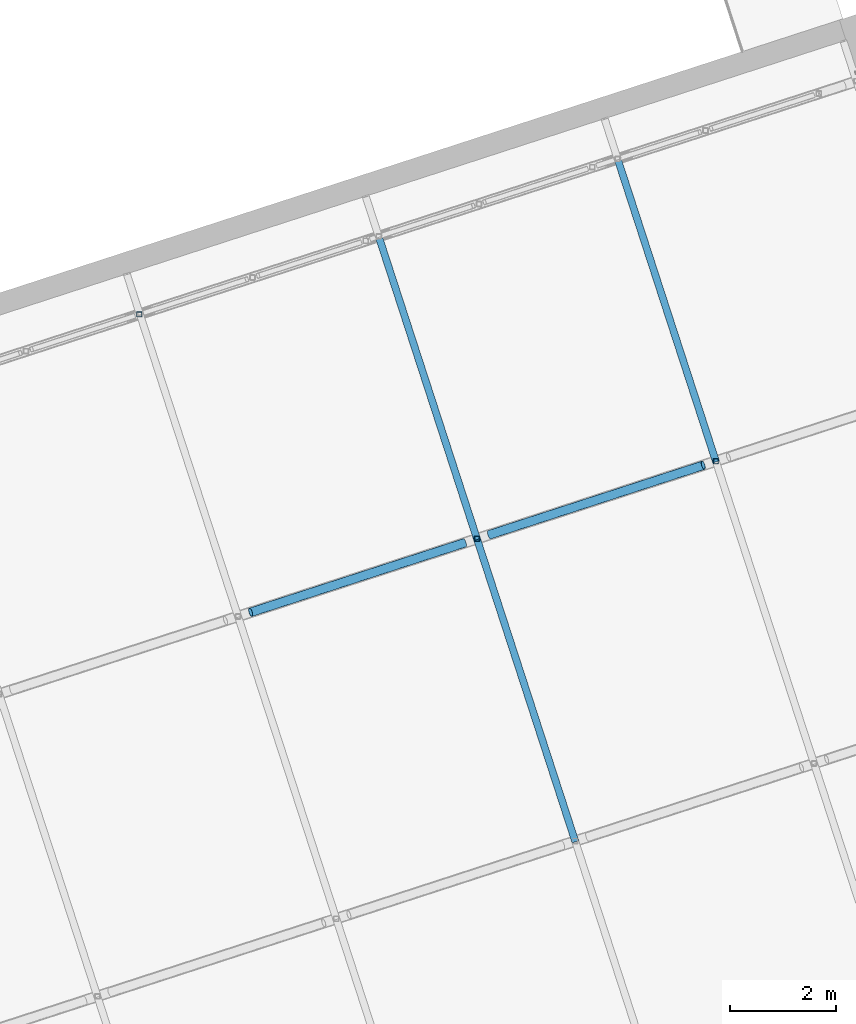
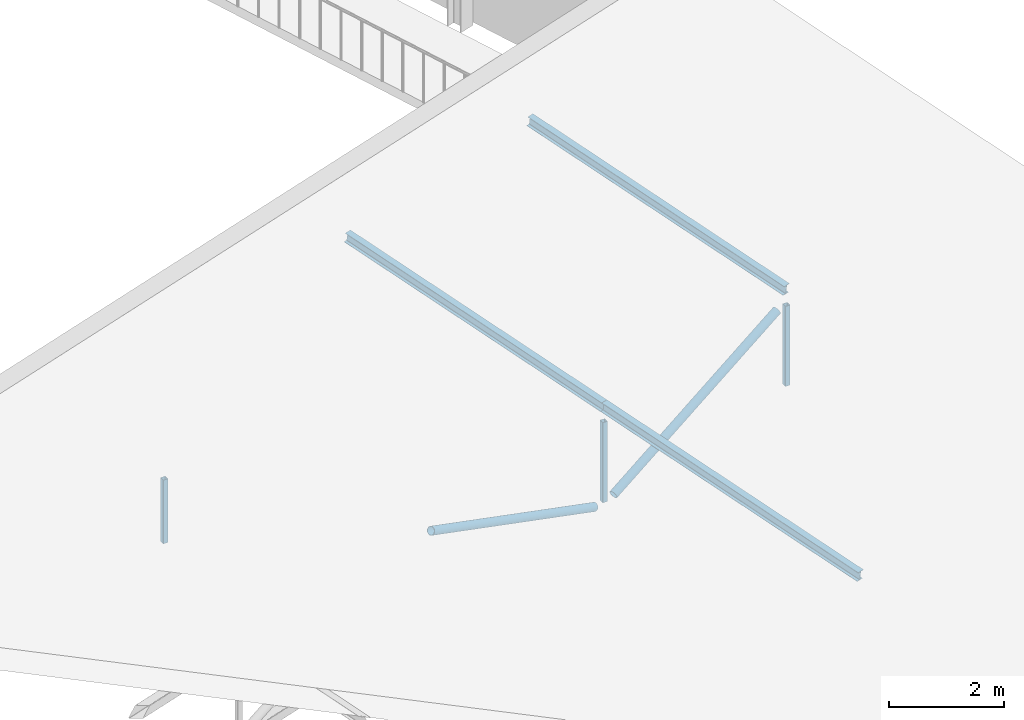
# One storey, part 14 of 55: 8 members.
"""IFC4 building model written with IfcOpenShell, lengths in metres."""

from ifc_helpers import new_model, si_unit, direction, frame, origin, origin_2d, place, context, subcontext, project, spatial, hollow_rectangle, hollow_circle, i_section, extrude, material, material_profile, profile_set, type_object, element, save


model = new_model("IFC4")

# Units and contexts
model_context = context("Model", 3, precision=1e-05, world=origin(), true_north=direction((0.0, 1.0)))
body_context = subcontext(model_context, "Body", "Model", "MODEL_VIEW")
ifc_project = project(units=[si_unit("LENGTHUNIT", "METRE"), si_unit("AREAUNIT", "SQUARE_METRE"), si_unit("VOLUMEUNIT", "CUBIC_METRE"), si_unit("PLANEANGLEUNIT", "RADIAN"), si_unit("MASSUNIT", "GRAM", prefix="KILO")], contexts=[model_context])

# Site, building, storey
site_placement = place(None, origin())
site = spatial("IfcSite", under=ifc_project, at=site_placement, CompositionType="ELEMENT")
building_placement = place(site_placement, origin())
building = spatial("IfcBuilding", under=site, at=building_placement, Name="Tuart Plaza Theatre", CompositionType="ELEMENT")
storey_placement = place(building_placement, frame((0.0, 0.0, 21.5)))
storey = spatial("IfcBuildingStorey", under=building, at=storey_placement, Name="L05", CompositionType="ELEMENT", Elevation=21.5)

# Members
ifc_material_1 = material(Name="Steel Grade C350L0", Category="steel")
ifc_material_profile_1 = material_profile(ifc_material_1, hollow_circle(Radius=0.084228515625, WallThickness=0.00634765625, at=origin_2d()), Name="168.3x6.4 CHS")
ifc_profile_set_1 = profile_set([ifc_material_profile_1], Name="Steel Grade C350L0")
member_type_1 = type_object("IfcMemberType", Name="MEMBER Brace 168.3x6.4 CHS", PredefinedType="BRACE", material=ifc_profile_set_1)
for number, where, z_axis, x_axis, name in (
    (1, (57.538330078125, 66.530029296875, 2.3837890625), (0.882822840615, 0.286849316519, -0.371942605385), (-0.309019710385, 0.951055633806, 0.0), "BR22"),
    (2, (62.0478515625, 67.995361328125, 0.683837890625), (0.882822840615, 0.286849316519, 0.371942605385), (-0.309019710385, 0.951055633806, 0.0), "BR23"),
):
    element("IfcMember", number, at=place(storey_placement, frame(where, z_axis=z_axis, x_axis=x_axis)), inside=storey, type_object=member_type_1, Name=name, PredefinedType="BRACE", context=body_context, shape_type="SweptSolid", body=[
        extrude(hollow_circle(Radius=0.084228515625, WallThickness=0.00634765625, at=origin_2d()), origin(), (0.0, 0.0, 1.0), 4.570556640625),
    ])
ifc_material_2 = material(Name="Steel Grade C350L0", Category="steel")
ifc_material_profile_2 = material_profile(ifc_material_2, hollow_rectangle(XDim=0.10009765625, YDim=0.10009765625, WallThickness=0.006103515625, InnerFilletRadius=0.006103515625, OuterFilletRadius=0.011962890625, at=origin_2d()), Name="100x100x6 SHS")
ifc_profile_set_2 = profile_set([ifc_material_profile_2], Name="Steel Grade C350L0")
member_type_2 = type_object("IfcMemberType", Name="MEMBER Post 100x100x6 SHS", PredefinedType="POST", material=ifc_profile_set_2)
for number, where, z_axis, x_axis, name in (
    (3, (61.810546875, 67.918212890625, 0.683837890625), (0.0, 0.0, 1.0), (1.0, 0.0, 0.0), "PO26"),
    (4, (66.320068359375, 69.383544921875, 0.683837890625), (0.0, 0.0, 1.0), (1.0, 0.0, 0.0), "PO27"),
):
    element("IfcMember", number, at=place(storey_placement, frame(where, z_axis=z_axis, x_axis=x_axis)), inside=storey, type_object=member_type_2, Name=name, PredefinedType="POST", context=body_context, shape_type="SweptSolid", body=[
        extrude(hollow_rectangle(XDim=0.10009765625, YDim=0.10009765625, WallThickness=0.006103515625, InnerFilletRadius=0.006103515625, OuterFilletRadius=0.011962890625, at=origin_2d()), origin(), (0.0, 0.0, 1.0), 1.699951171875),
    ])
member_placement = place(storey_placement, frame((55.43505859375, 72.155517578125, -0.524169921875), z_axis=(0.0, 0.0, 1.0), x_axis=(1.0, 0.0, 0.0)))
element("IfcMember", 5, at=member_placement, inside=storey, type_object=member_type_2, Name="PO193", PredefinedType="POST", context=body_context, shape_type="SweptSolid", body=[
    extrude(hollow_rectangle(XDim=0.10009765625, YDim=0.10009765625, WallThickness=0.006103515625, InnerFilletRadius=0.006103515625, OuterFilletRadius=0.011962890625, at=origin_2d()), origin(), (0.0, 0.0, 1.0), 1.35009765625),
])
ifc_material_3 = material(Name="Steel Grade 300", Category="steel")
ifc_material_profile_3 = material_profile(ifc_material_3, i_section(OverallWidth=0.133056640625, OverallDepth=0.202880859375, WebThickness=0.005859375, FlangeThickness=0.0078125, FilletRadius=0.0087890625, at=origin_2d()), Name="200UB25.4")
ifc_profile_set_3 = profile_set([ifc_material_profile_3], Name="Steel Grade 300")
member_type_3 = type_object("IfcMemberType", Name="MEMBER Purlin 200UB25.4", PredefinedType="PURLIN", material=ifc_profile_set_3)
for number, where, z_axis, x_axis, name in (
    (6, (63.66455078125, 62.2119140625, 1.9072265625), (-0.306345190325, 0.942876762375, 0.130904680354), (-0.95106067854, -0.309004184009, 0.0), "PU28"),
    (7, (61.810546875, 67.918212890625, 2.699462890625), (-0.306346807821, 0.942881740744, 0.130865030889), (-0.95106067854, -0.309004184009, 0.0), "PU29"),
    (8, (66.320068359375, 69.383544921875, 2.699462890625), (-0.306346807821, 0.942881740744, 0.130865030889), (-0.95106067854, -0.309004184009, 0.0), "PU35"),
):
    element("IfcMember", number, at=place(storey_placement, frame(where, z_axis=z_axis, x_axis=x_axis)), inside=storey, type_object=member_type_3, Name=name, PredefinedType="PURLIN", context=body_context, shape_type="SweptSolid", body=[
        extrude(i_section(OverallWidth=0.133056640625, OverallDepth=0.202880859375, WebThickness=0.005859375, FlangeThickness=0.0078125, FilletRadius=0.0087890625, at=origin_2d()), origin(), (0.0, 0.0, 1.0), 6.052001953125),
    ])

save(model, "model.ifc")
